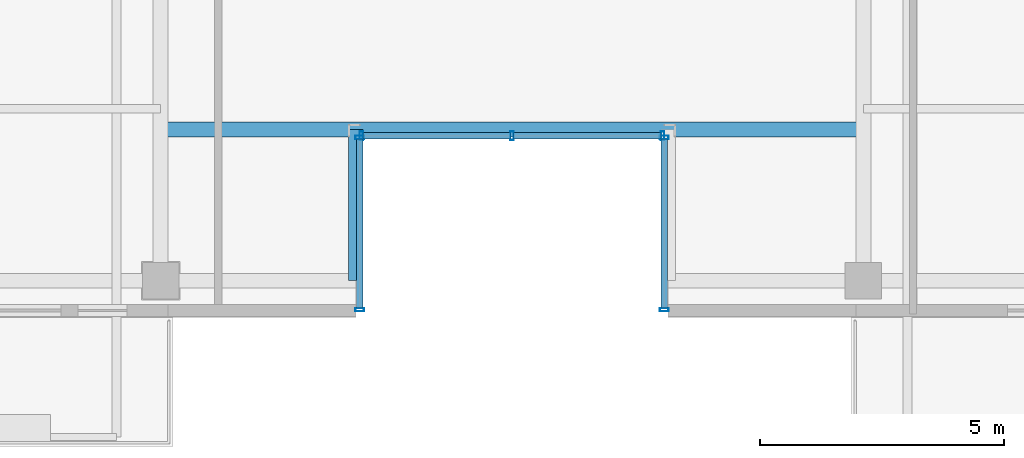
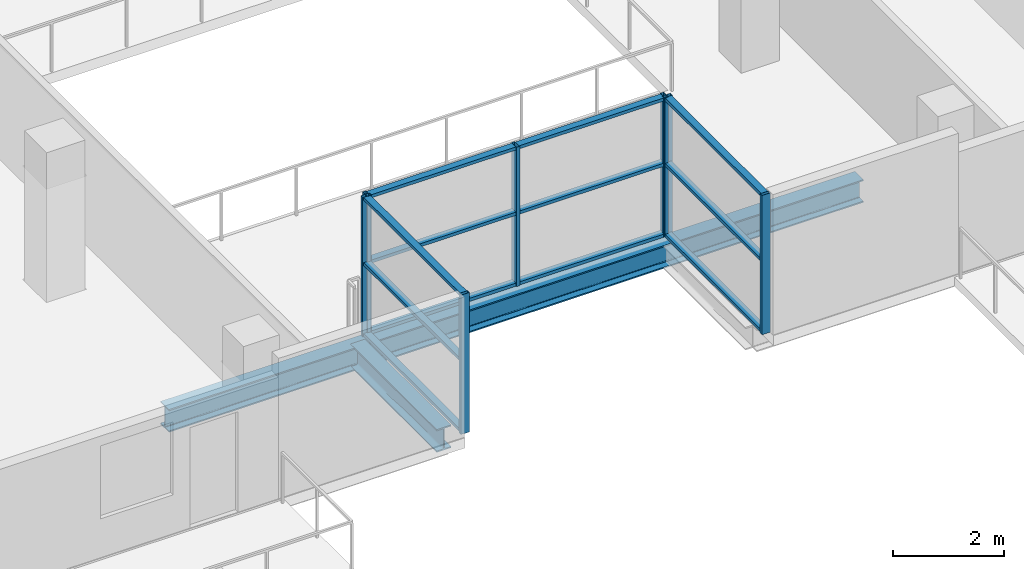
# One storey, part 2 of 21: 19 members, 2 beams, 3 elements without a shape of their own.
"""IFC4 building model written with IfcOpenShell, lengths in metres."""

from ifc_helpers import new_model, si_unit, direction, frame, origin, origin_2d, place, context, subcontext, project, spatial, hollow_rectangle, i_section, extrude, source, transform, mapped, material, layer, layer_set, material_profile, profile_set, type_object, element, aggregate, save


model = new_model("IFC4")

# Units and contexts
model_context = context("Model", 3, precision=1e-05, world=origin(), true_north=direction((0.0, 1.0)))
body_context = subcontext(model_context, "Body", "Model", "MODEL_VIEW")
ifc_project = project(units=[si_unit("LENGTHUNIT", "METRE"), si_unit("AREAUNIT", "SQUARE_METRE"), si_unit("VOLUMEUNIT", "CUBIC_METRE"), si_unit("PLANEANGLEUNIT", "RADIAN"), si_unit("MASSUNIT", "GRAM", prefix="KILO")], contexts=[model_context])

# Site, building, storey
site_placement = place(None, origin())
site = spatial("IfcSite", under=ifc_project, at=site_placement, CompositionType="ELEMENT")
building_placement = place(site_placement, origin())
building = spatial("IfcBuilding", under=site, at=building_placement, Name="Zarnakvel Exchange Tower", CompositionType="ELEMENT")
storey_placement = place(building_placement, frame((0.0, 0.0, 159.39990234375)))
storey = spatial("IfcBuildingStorey", under=building, at=storey_placement, Name="L44", CompositionType="ELEMENT", Elevation=159.39990234375)

# Beams
ifc_material_1 = material(Name="Steel S355", Category="steel")
ifc_material_profile_1 = material_profile(ifc_material_1, i_section(OverallWidth=0.300048828125, OverallDepth=0.5, WebThickness=0.014404296875, FlangeThickness=0.028076171875, FilletRadius=0.027099609375, at=origin_2d()))
ifc_profile_set_1 = profile_set([ifc_material_profile_1], Name="Steel S355")
beam_type_1 = type_object("IfcBeamType", Name="G-06", PredefinedType="BEAM", material=ifc_profile_set_1)
beam_1_placement = place(storey_placement, frame((-3.199951171875, -16.64990234375, -0.474853515625), z_axis=(0.0, 1.0, 0.0), x_axis=(-1.0, 0.0, 0.0)))
element("IfcBeam", 1, at=beam_1_placement, inside=storey, type_object=beam_type_1, Name="L44 South Slot West Cheek Beam", PredefinedType="BEAM", context=body_context, shape_type="SweptSolid", body=[
    extrude(i_section(OverallWidth=0.300048828125, OverallDepth=0.5, WebThickness=0.014404296875, FlangeThickness=0.028076171875, FilletRadius=0.027099609375, at=origin_2d()), origin(), (0.0, 0.0, 1.0), 3.099853515625),
])
ifc_material_profile_2 = material_profile(ifc_material_1, i_section(OverallWidth=0.300048828125, OverallDepth=0.5, WebThickness=0.014404296875, FlangeThickness=0.028076171875, FilletRadius=0.027099609375, at=origin_2d()))
ifc_profile_set_2 = profile_set([ifc_material_profile_2], Name="Steel S355")
beam_type_2 = type_object("IfcBeamType", Name="SP-02", PredefinedType="SPANDREL", material=ifc_profile_set_2)
beam_2_placement = place(storey_placement, frame((-7.199951171875, -13.550048828125, -0.474853515625), z_axis=(1.0, 0.0, 0.0), x_axis=(0.0, 1.0, 0.0)))
element("IfcBeam", 2, at=beam_2_placement, inside=storey, type_object=beam_type_2, Name="L44 South Slot Head Trimmer Girder", PredefinedType="SPANDREL", context=body_context, shape_type="SweptSolid", body=[
    extrude(i_section(OverallWidth=0.300048828125, OverallDepth=0.5, WebThickness=0.014404296875, FlangeThickness=0.028076171875, FilletRadius=0.027099609375, at=origin_2d()), origin(), (0.0, 0.0, 1.0), 14.39990234375),
])

# Curtain wall, members
ifc_material_2 = material(Name="Architectural Bronze Anodised Aluminium", Category="aluminium")
ifc_layer = layer(ifc_material_2, 0.179931640625)
ifc_layer_set = layer_set([ifc_layer], Name="Architectural Bronze Anodised Aluminium")
curtain_wall_type = type_object("IfcCurtainWallType", Name="CW-05", PredefinedType="NOTDEFINED", material=ifc_layer_set)
curtain_wall_1_placement = place(storey_placement, origin())
curtain_wall_1 = element("IfcCurtainWall", 3, at=curtain_wall_1_placement, inside=storey, type_object=curtain_wall_type, Name="L44 Curtain Wall CW-L44-SLW (CW-05)", PredefinedType="NOTDEFINED")
ifc_material_profile_3 = material_profile(ifc_material_2, hollow_rectangle(XDim=0.179931640625, YDim=0.070068359375, WallThickness=0.00390625, at=origin_2d()))
ifc_profile_set_3 = profile_set([ifc_material_profile_3], Name="Architectural Bronze Anodised Aluminium")
member_type_1 = type_object("IfcMemberType", Name="CWM-05", PredefinedType="MULLION", material=ifc_profile_set_3)
shared_shape_1 = source(origin(), body_context, "Body", "SweptSolid", [
    extrude(hollow_rectangle(XDim=0.179931640625, YDim=0.070068359375, WallThickness=0.00390625, at=origin_2d()), origin(), (0.0, 0.0, 1.0), 3.05517578125),
])
member_1_placement = place(storey_placement, frame((-3.1201171875, -17.2451171875, 0.0), z_axis=(0.0, 0.0, 1.0), x_axis=(-1.0, 0.0, 0.0)))
member_1 = element("IfcMember", 4, at=member_1_placement, type_object=member_type_1, Name="CW-05 mullion 1", PredefinedType="MULLION", context=body_context, shape_type="MappedRepresentation", body=[
    mapped(shared_shape_1, transform((0.0, 0.0, 0.0), x_axis=(1.0, 0.0, 0.0), y_axis=(0.0, 1.0, 0.0), z_axis=(0.0, 0.0, 1.0), scale=1.0)),
])
member_2_placement = place(storey_placement, frame((-3.1201171875, -13.715087890625, 0.0), z_axis=(0.0, 0.0, 1.0), x_axis=(-1.0, 0.0, 0.0)))
member_2 = element("IfcMember", 5, at=member_2_placement, type_object=member_type_1, Name="CW-05 mullion 2", PredefinedType="MULLION", context=body_context, shape_type="MappedRepresentation", body=[
    mapped(shared_shape_1, transform((0.0, 0.0, 0.0), x_axis=(1.0, 0.0, 0.0), y_axis=(0.0, 1.0, 0.0), z_axis=(0.0, 0.0, 1.0), scale=1.0)),
])

curtain_wall_2_placement = place(storey_placement, origin())
curtain_wall_2 = element("IfcCurtainWall", 6, at=curtain_wall_2_placement, inside=storey, type_object=curtain_wall_type, Name="L44 Curtain Wall CW-L44-SLB (CW-05)", PredefinedType="NOTDEFINED")
member_3_placement = place(storey_placement, frame((-3.0849609375, -13.679931640625, 0.0), z_axis=(0.0, 0.0, 1.0), x_axis=(0.0, 1.0, 0.0)))
member_3 = element("IfcMember", 7, at=member_3_placement, type_object=member_type_1, Name="CW-05 mullion 1", PredefinedType="MULLION", context=body_context, shape_type="MappedRepresentation", body=[
    mapped(shared_shape_1, transform((0.0, 0.0, 0.0), x_axis=(1.0, 0.0, 0.0), y_axis=(0.0, 1.0, 0.0), z_axis=(0.0, 0.0, 1.0), scale=1.0)),
])
member_4_placement = place(storey_placement, frame((0.0, -13.679931640625, 0.0), z_axis=(0.0, 0.0, 1.0), x_axis=(0.0, 1.0, 0.0)))
member_4 = element("IfcMember", 8, at=member_4_placement, type_object=member_type_1, Name="CW-05 mullion 2", PredefinedType="MULLION", context=body_context, shape_type="MappedRepresentation", body=[
    mapped(shared_shape_1, transform((0.0, 0.0, 0.0), x_axis=(1.0, 0.0, 0.0), y_axis=(0.0, 1.0, 0.0), z_axis=(0.0, 0.0, 1.0), scale=1.0)),
])
member_5_placement = place(storey_placement, frame((3.0849609375, -13.679931640625, 0.0), z_axis=(0.0, 0.0, 1.0), x_axis=(0.0, 1.0, 0.0)))
member_5 = element("IfcMember", 9, at=member_5_placement, type_object=member_type_1, Name="CW-05 mullion 3", PredefinedType="MULLION", context=body_context, shape_type="MappedRepresentation", body=[
    mapped(shared_shape_1, transform((0.0, 0.0, 0.0), x_axis=(1.0, 0.0, 0.0), y_axis=(0.0, 1.0, 0.0), z_axis=(0.0, 0.0, 1.0), scale=1.0)),
])

curtain_wall_3_placement = place(storey_placement, origin())
curtain_wall_3 = element("IfcCurtainWall", 10, at=curtain_wall_3_placement, inside=storey, type_object=curtain_wall_type, Name="L44 Curtain Wall CW-L44-SLE (CW-05)", PredefinedType="NOTDEFINED")
member_6_placement = place(storey_placement, frame((3.1201171875, -13.715087890625, 0.0), z_axis=(0.0, 0.0, 1.0), x_axis=(1.0, 0.0, 0.0)))
member_6 = element("IfcMember", 11, at=member_6_placement, type_object=member_type_1, Name="CW-05 mullion 1", PredefinedType="MULLION", context=body_context, shape_type="MappedRepresentation", body=[
    mapped(shared_shape_1, transform((0.0, 0.0, 0.0), x_axis=(1.0, 0.0, 0.0), y_axis=(0.0, 1.0, 0.0), z_axis=(0.0, 0.0, 1.0), scale=1.0)),
])
member_7_placement = place(storey_placement, frame((3.1201171875, -17.2451171875, 0.0), z_axis=(0.0, 0.0, 1.0), x_axis=(1.0, 0.0, 0.0)))
member_7 = element("IfcMember", 12, at=member_7_placement, type_object=member_type_1, Name="CW-05 mullion 2", PredefinedType="MULLION", context=body_context, shape_type="MappedRepresentation", body=[
    mapped(shared_shape_1, transform((0.0, 0.0, 0.0), x_axis=(1.0, 0.0, 0.0), y_axis=(0.0, 1.0, 0.0), z_axis=(0.0, 0.0, 1.0), scale=1.0)),
])

# Member
ifc_material_profile_4 = material_profile(ifc_material_2, hollow_rectangle(XDim=0.139892578125, YDim=0.070068359375, WallThickness=0.00390625, at=origin_2d()))
ifc_profile_set_4 = profile_set([ifc_material_profile_4], Name="Architectural Bronze Anodised Aluminium")
member_type_2 = type_object("IfcMemberType", Name="CWT-05", PredefinedType="USERDEFINED", material=ifc_profile_set_4)
shared_shape_2 = source(origin(), body_context, "Body", "SweptSolid", [
    extrude(hollow_rectangle(XDim=0.139892578125, YDim=0.070068359375, WallThickness=0.00390625, at=origin_2d()), origin(), (0.0, 0.0, 1.0), 3.4599609375),
])
member_8_placement = place(storey_placement, frame((-3.1201171875, -17.2099609375, 0.03515625), z_axis=(0.0, 1.0, 0.0), x_axis=(-1.0, 0.0, 0.0)))
member_8 = element("IfcMember", 13, at=member_8_placement, type_object=member_type_2, Name="CW-05 transom 1.1", ObjectType="TRANSOM", PredefinedType="USERDEFINED", context=body_context, shape_type="MappedRepresentation", body=[
    mapped(shared_shape_2, transform((0.0, 0.0, 0.0), x_axis=(1.0, 0.0, 0.0), y_axis=(0.0, 1.0, 0.0), z_axis=(0.0, 0.0, 1.0), scale=1.0)),
])

member_9_placement = place(storey_placement, frame((-3.1201171875, -17.2099609375, 1.588623046875), z_axis=(0.0, 1.0, 0.0), x_axis=(-1.0, 0.0, 0.0)))
member_9 = element("IfcMember", 14, at=member_9_placement, type_object=member_type_2, Name="CW-05 transom 1.2", ObjectType="TRANSOM", PredefinedType="USERDEFINED", context=body_context, shape_type="MappedRepresentation", body=[
    mapped(shared_shape_2, transform((0.0, 0.0, 0.0), x_axis=(1.0, 0.0, 0.0), y_axis=(0.0, 1.0, 0.0), z_axis=(0.0, 0.0, 1.0), scale=1.0)),
])

member_10_placement = place(storey_placement, frame((-3.1201171875, -17.2099609375, 3.02001953125), z_axis=(0.0, 1.0, 0.0), x_axis=(-1.0, 0.0, 0.0)))
member_10 = element("IfcMember", 15, at=member_10_placement, type_object=member_type_2, Name="CW-05 transom 1.3", ObjectType="TRANSOM", PredefinedType="USERDEFINED", context=body_context, shape_type="MappedRepresentation", body=[
    mapped(shared_shape_2, transform((0.0, 0.0, 0.0), x_axis=(1.0, 0.0, 0.0), y_axis=(0.0, 1.0, 0.0), z_axis=(0.0, 0.0, 1.0), scale=1.0)),
])

aggregate(curtain_wall_1, [member_1, member_2, member_8, member_9, member_10])

member_11_placement = place(storey_placement, frame((3.1201171875, -13.75, 0.03515625), z_axis=(0.0, -1.0, 0.0), x_axis=(1.0, 0.0, 0.0)))
member_11 = element("IfcMember", 16, at=member_11_placement, type_object=member_type_2, Name="CW-05 transom 1.1", ObjectType="TRANSOM", PredefinedType="USERDEFINED", context=body_context, shape_type="MappedRepresentation", body=[
    mapped(shared_shape_2, transform((0.0, 0.0, 0.0), x_axis=(1.0, 0.0, 0.0), y_axis=(0.0, 1.0, 0.0), z_axis=(0.0, 0.0, 1.0), scale=1.0)),
])

member_12_placement = place(storey_placement, frame((3.1201171875, -13.75, 1.588623046875), z_axis=(0.0, -1.0, 0.0), x_axis=(1.0, 0.0, 0.0)))
member_12 = element("IfcMember", 17, at=member_12_placement, type_object=member_type_2, Name="CW-05 transom 1.2", ObjectType="TRANSOM", PredefinedType="USERDEFINED", context=body_context, shape_type="MappedRepresentation", body=[
    mapped(shared_shape_2, transform((0.0, 0.0, 0.0), x_axis=(1.0, 0.0, 0.0), y_axis=(0.0, 1.0, 0.0), z_axis=(0.0, 0.0, 1.0), scale=1.0)),
])

member_13_placement = place(storey_placement, frame((3.1201171875, -13.75, 3.02001953125), z_axis=(0.0, -1.0, 0.0), x_axis=(1.0, 0.0, 0.0)))
member_13 = element("IfcMember", 18, at=member_13_placement, type_object=member_type_2, Name="CW-05 transom 1.3", ObjectType="TRANSOM", PredefinedType="USERDEFINED", context=body_context, shape_type="MappedRepresentation", body=[
    mapped(shared_shape_2, transform((0.0, 0.0, 0.0), x_axis=(1.0, 0.0, 0.0), y_axis=(0.0, 1.0, 0.0), z_axis=(0.0, 0.0, 1.0), scale=1.0)),
])

aggregate(curtain_wall_3, [member_6, member_7, member_11, member_12, member_13])

shared_shape_3 = source(origin(), body_context, "Body", "SweptSolid", [
    extrude(hollow_rectangle(XDim=0.139892578125, YDim=0.070068359375, WallThickness=0.00390625, at=origin_2d()), origin(), (0.0, 0.0, 1.0), 3.01513671875),
])
member_14_placement = place(storey_placement, frame((-3.050048828125, -13.679931640625, 0.03515625), z_axis=(1.0, 0.0, 0.0), x_axis=(0.0, 1.0, 0.0)))
member_14 = element("IfcMember", 19, at=member_14_placement, type_object=member_type_2, Name="CW-05 transom 1.1", ObjectType="TRANSOM", PredefinedType="USERDEFINED", context=body_context, shape_type="MappedRepresentation", body=[
    mapped(shared_shape_3, transform((0.0, 0.0, 0.0), x_axis=(1.0, 0.0, 0.0), y_axis=(0.0, 1.0, 0.0), z_axis=(0.0, 0.0, 1.0), scale=1.0)),
])

member_15_placement = place(storey_placement, frame((-3.050048828125, -13.679931640625, 1.588623046875), z_axis=(1.0, 0.0, 0.0), x_axis=(0.0, 1.0, 0.0)))
member_15 = element("IfcMember", 20, at=member_15_placement, type_object=member_type_2, Name="CW-05 transom 1.2", ObjectType="TRANSOM", PredefinedType="USERDEFINED", context=body_context, shape_type="MappedRepresentation", body=[
    mapped(shared_shape_3, transform((0.0, 0.0, 0.0), x_axis=(1.0, 0.0, 0.0), y_axis=(0.0, 1.0, 0.0), z_axis=(0.0, 0.0, 1.0), scale=1.0)),
])

member_16_placement = place(storey_placement, frame((-3.050048828125, -13.679931640625, 3.02001953125), z_axis=(1.0, 0.0, 0.0), x_axis=(0.0, 1.0, 0.0)))
member_16 = element("IfcMember", 21, at=member_16_placement, type_object=member_type_2, Name="CW-05 transom 1.3", ObjectType="TRANSOM", PredefinedType="USERDEFINED", context=body_context, shape_type="MappedRepresentation", body=[
    mapped(shared_shape_3, transform((0.0, 0.0, 0.0), x_axis=(1.0, 0.0, 0.0), y_axis=(0.0, 1.0, 0.0), z_axis=(0.0, 0.0, 1.0), scale=1.0)),
])

member_17_placement = place(storey_placement, frame((0.034912109375, -13.679931640625, 0.03515625), z_axis=(1.0, 0.0, 0.0), x_axis=(0.0, 1.0, 0.0)))
member_17 = element("IfcMember", 22, at=member_17_placement, type_object=member_type_2, Name="CW-05 transom 2.1", ObjectType="TRANSOM", PredefinedType="USERDEFINED", context=body_context, shape_type="MappedRepresentation", body=[
    mapped(shared_shape_3, transform((0.0, 0.0, 0.0), x_axis=(1.0, 0.0, 0.0), y_axis=(0.0, 1.0, 0.0), z_axis=(0.0, 0.0, 1.0), scale=1.0)),
])

member_18_placement = place(storey_placement, frame((0.034912109375, -13.679931640625, 1.588623046875), z_axis=(1.0, 0.0, 0.0), x_axis=(0.0, 1.0, 0.0)))
member_18 = element("IfcMember", 23, at=member_18_placement, type_object=member_type_2, Name="CW-05 transom 2.2", ObjectType="TRANSOM", PredefinedType="USERDEFINED", context=body_context, shape_type="MappedRepresentation", body=[
    mapped(shared_shape_3, transform((0.0, 0.0, 0.0), x_axis=(1.0, 0.0, 0.0), y_axis=(0.0, 1.0, 0.0), z_axis=(0.0, 0.0, 1.0), scale=1.0)),
])

member_19_placement = place(storey_placement, frame((0.034912109375, -13.679931640625, 3.02001953125), z_axis=(1.0, 0.0, 0.0), x_axis=(0.0, 1.0, 0.0)))
member_19 = element("IfcMember", 24, at=member_19_placement, type_object=member_type_2, Name="CW-05 transom 2.3", ObjectType="TRANSOM", PredefinedType="USERDEFINED", context=body_context, shape_type="MappedRepresentation", body=[
    mapped(shared_shape_3, transform((0.0, 0.0, 0.0), x_axis=(1.0, 0.0, 0.0), y_axis=(0.0, 1.0, 0.0), z_axis=(0.0, 0.0, 1.0), scale=1.0)),
])

aggregate(curtain_wall_2, [member_3, member_4, member_5, member_14, member_15, member_16, member_17, member_18, member_19])

save(model, "model.ifc")
